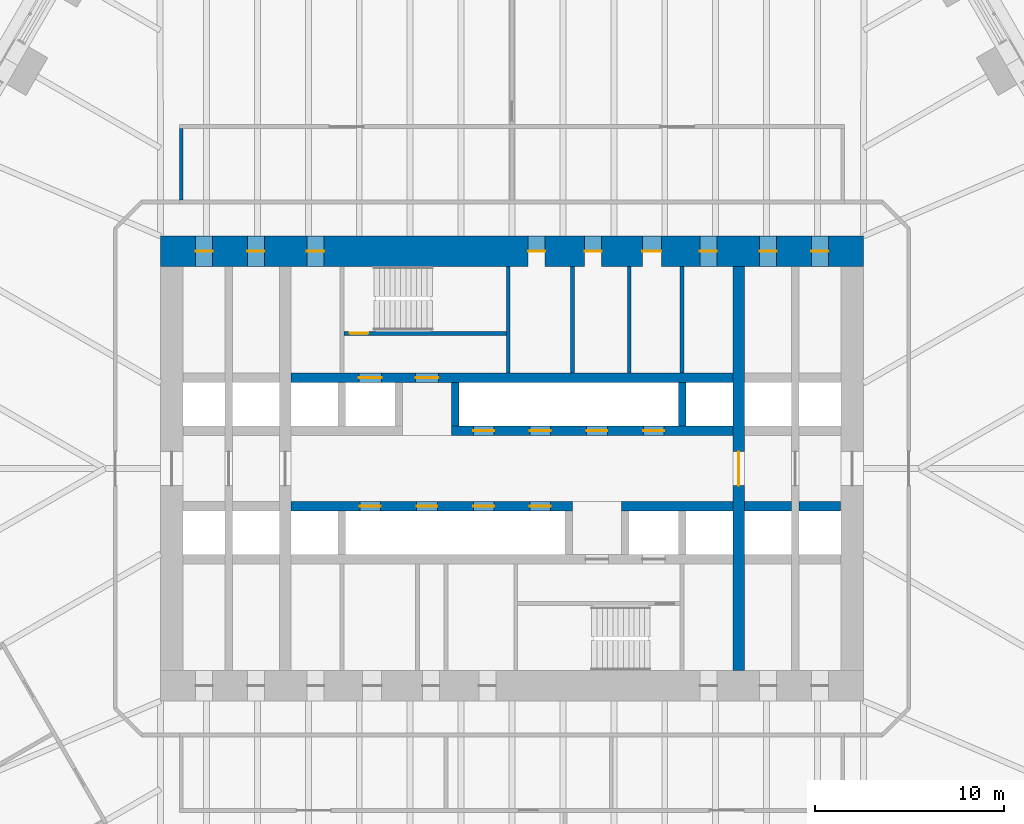
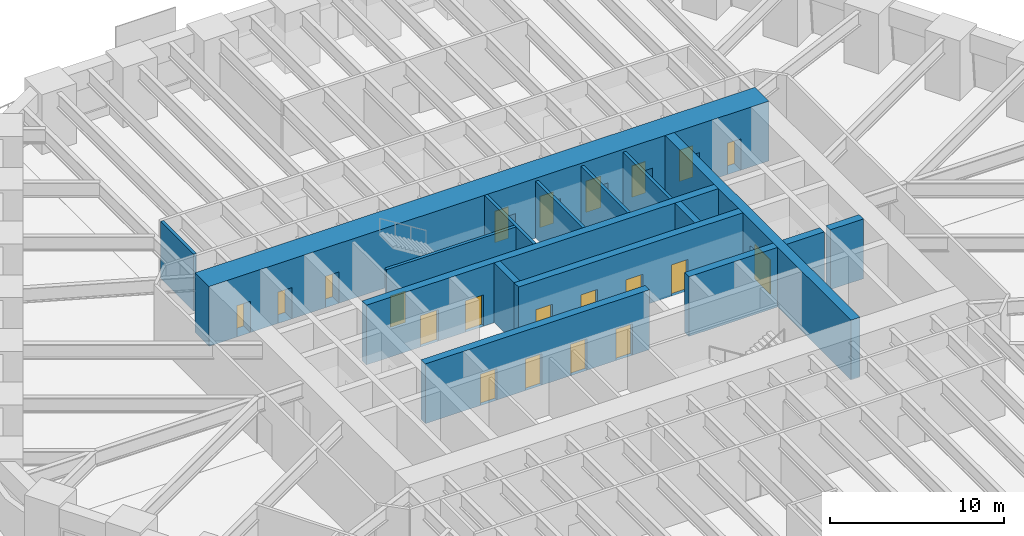
# One storey, part 18 of 23: 21 doors, 16 walls, 21 openings.
"""IFC4 building model written with IfcOpenShell, lengths in metres."""

import ifcopenshell
import ifcopenshell.guid

model = None  # the IFC model being written
_history = None  # IfcOwnerHistory: only IFC2X3 demands one
_inside = {}  # id of a spatial element -> (the spatial element, [elements in it])
_under = {}  # id of a project, library or spatial element -> (it, [spatial elements below it])
_declared = {}  # id of a project -> (the project, [libraries it declares])
_typed = {}  # id of a type object -> (the type object, [elements of that type])
_made_of = {}  # id of a material, layer set ... -> (it, [elements and type objects made of it])


def new_model(schema):
    """Start an empty IFC model of exactly this schema.

    Asked for "IFC4X3", IfcOpenShell would pick the latest addendum, in which some entities
    have other attributes; the version numbers below select the first issue.
    IFC2X3 requires an IfcOwnerHistory on every rooted entity: one is made here for all.
    """
    global model, _history
    if schema == "IFC4X3":
        model = ifcopenshell.file(schema_version=(4, 3, 0, 0))
    else:
        model = ifcopenshell.file(schema=schema)
    _inside.clear()
    _under.clear()
    _declared.clear()
    _typed.clear()
    _made_of.clear()
    _history = None
    if model.schema == "IFC2X3":
        org = make("IfcOrganization", Name="unknown")
        user = make(
            "IfcPersonAndOrganization",
            ThePerson=make("IfcPerson", FamilyName="unknown"),
            TheOrganization=org,
        )
        app = make(
            "IfcApplication",
            ApplicationDeveloper=org,
            Version="unknown",
            ApplicationFullName="unknown",
            ApplicationIdentifier="unknown",
        )
        _history = make(
            "IfcOwnerHistory",
            OwningUser=user,
            OwningApplication=app,
            ChangeAction="ADDED",
            CreationDate=0,
        )
    return model


def make(cls, **values):
    """One entity of the class cls with the attributes given. An attribute that is None is left unset."""
    return model.create_entity(
        cls, **{name: value for name, value in values.items() if value is not None}
    )


def rooted(cls, **values):
    """An entity with a GlobalId (a new one), such as an element, a storey or a relation."""
    return make(cls, GlobalId=ifcopenshell.guid.new(), OwnerHistory=_history, **values)


def si_unit(unit_type, name, prefix=None):
    """IfcSIUnit, for example si_unit("LENGTHUNIT", "METRE", prefix="MILLI")."""
    return make("IfcSIUnit", UnitType=unit_type, Prefix=prefix, Name=name)


def assignment(units):
    """IfcUnitAssignment: the units of a project."""
    return None if units is None else make("IfcUnitAssignment", Units=units)


def point(xyz):
    """IfcCartesianPoint."""
    return None if xyz is None else make("IfcCartesianPoint", Coordinates=xyz)


def direction(xyz):
    """IfcDirection."""
    return None if xyz is None else make("IfcDirection", DirectionRatios=xyz)


def frame(location, z_axis=None, x_axis=None):
    """IfcAxis2Placement3D, a coordinate frame: its origin and axes. An axis left out is left unset."""
    return make(
        "IfcAxis2Placement3D",
        Location=point(location),
        Axis=direction(z_axis),
        RefDirection=direction(x_axis),
    )


def frame_2d(location, x_axis=None):
    """IfcAxis2Placement2D, a coordinate frame in the plane: its origin and x axis."""
    return make(
        "IfcAxis2Placement2D", Location=point(location), RefDirection=direction(x_axis)
    )


def origin():
    """The frame at (0, 0, 0) with its axes left unset."""
    return frame((0.0, 0.0, 0.0))


def place(relative_to, where):
    """IfcLocalPlacement: puts the frame where relative to a parent placement (None: the world)."""
    return make(
        "IfcLocalPlacement", PlacementRelTo=relative_to, RelativePlacement=where
    )


def context(
    kind, dimensions, precision=None, world=None, true_north=None, identifier=None
):
    """IfcGeometricRepresentationContext, for example the 3D "Model" context."""
    return make(
        "IfcGeometricRepresentationContext",
        ContextIdentifier=identifier,
        ContextType=kind,
        CoordinateSpaceDimension=dimensions,
        Precision=precision,
        WorldCoordinateSystem=world,
        TrueNorth=true_north,
    )


def subcontext(parent, identifier, kind, view, scale=None):
    """IfcGeometricRepresentationSubContext, for example "Body" below "Model"."""
    return make(
        "IfcGeometricRepresentationSubContext",
        ContextIdentifier=identifier,
        ContextType=kind,
        ParentContext=parent,
        TargetScale=scale,
        TargetView=view,
    )


def project(units=None, contexts=None):
    """IfcProject with its units and contexts."""
    return rooted(
        "IfcProject",
        Name="project",
        RepresentationContexts=contexts,
        UnitsInContext=assignment(units),
    )


def spatial(cls, under=None, at=None, **own):
    """A site, building, storey or space (cls), placed at a placement, below another one or the project."""
    s = rooted(cls, ObjectPlacement=at, **own)
    if under is not None:
        _under.setdefault(under.id(), (under, []))[1].append(s)
    return s


def profile(cls, at=None, kind="AREA", **sizes):
    """A parametric profile (cls). Its sizes go by their IFC names, for example OverallWidth=200.0."""
    return make(cls, ProfileType=kind, Position=at, **sizes)


def rectangle(**sizes):
    """IfcRectangleProfileDef."""
    return profile("IfcRectangleProfileDef", **sizes)


def extrude(swept, where, along, depth):
    """IfcExtrudedAreaSolid: the profile swept, set in the frame where, extruded along a direction by depth."""
    return make(
        "IfcExtrudedAreaSolid",
        SweptArea=swept,
        Position=where,
        ExtrudedDirection=direction(along),
        Depth=depth,
    )


def shape(context_of_items, identifier, shape_type, items):
    """IfcShapeRepresentation: the items that make up one representation, for example the "Body"."""
    return make(
        "IfcShapeRepresentation",
        ContextOfItems=context_of_items,
        RepresentationIdentifier=identifier,
        RepresentationType=shape_type,
        Items=items,
    )


def material(Name=None, Category=None):
    """IfcMaterial."""
    return make("IfcMaterial", Name=Name, Category=Category)


def layer(
    of_material, thickness, ventilated=None, Name=None, Category=None, Priority=None
):
    """IfcMaterialLayer: one layer of a wall or slab, of a material (None: an air gap)."""
    return make(
        "IfcMaterialLayer",
        Material=of_material,
        LayerThickness=thickness,
        IsVentilated=ventilated,
        Name=Name,
        Category=Category,
        Priority=Priority,
    )


def layer_set(layers, Name=None):
    """IfcMaterialLayerSet."""
    return make("IfcMaterialLayerSet", MaterialLayers=layers, LayerSetName=Name)


def made_of(thing, what):
    """Note that an element or type object is made of a material, layer set ...; save() writes the relation."""
    if what is not None:
        _made_of.setdefault(what.id(), (what, []))[1].append(thing)
    return thing


def type_object(cls, material=None, **own):
    """A type object (cls), such as IfcWallType, which elements share."""
    return made_of(rooted(cls, **own), material)


def element(
    cls,
    number,
    at=None,
    inside=None,
    cuts=None,
    type_object=None,
    material=None,
    context=None,
    identifier="Body",
    shape_type=None,
    held_by="IfcProductDefinitionShape",
    body=None,
    shapes=None,
    **own,
):
    """One element of the class cls, such as IfcWall. Its Tag is "e" and its number.

    at: its placement. inside: the storey or other place that contains it. cuts: it is an
    opening in that element (IfcRelVoidsElement). A single representation is given by context,
    identifier, shape_type and body (its items); several are given by shapes. held_by: the class
    of the entity that holds the representations. save() writes the other relations.
    """
    e = rooted(cls, Tag="e%d" % number, ObjectPlacement=at, **own)
    if body is not None:
        shapes = [shape(context, identifier, shape_type, body)]
    if shapes is not None:
        e.Representation = make(held_by, Representations=shapes)
    if inside is not None:
        _inside.setdefault(inside.id(), (inside, []))[1].append(e)
    if cuts is not None:
        rooted(
            "IfcRelVoidsElement", RelatingBuildingElement=cuts, RelatedOpeningElement=e
        )
    if type_object is not None:
        _typed.setdefault(type_object.id(), (type_object, []))[1].append(e)
    return made_of(e, material)


def fill(opening, filler):
    """IfcRelFillsElement: the door or window that sits in an opening."""
    return rooted(
        "IfcRelFillsElement",
        RelatingOpeningElement=opening,
        RelatedBuildingElement=filler,
    )


def aggregate(whole, parts):
    """IfcRelAggregates: a whole, such as a stair, and the parts it consists of."""
    return rooted("IfcRelAggregates", RelatingObject=whole, RelatedObjects=parts)


def save(model, path):
    """Write the relations noted so far, then the file.

    IfcRelAggregates (storeys below a building ...), IfcRelContainedInSpatialStructure (elements
    in a storey), IfcRelDefinesByType, IfcRelAssociatesMaterial and IfcRelDeclares: one each for
    every whole, place, type object, material and project.
    """
    for whole, parts in _under.values():
        aggregate(whole, parts)
    for where, things in _inside.values():
        rooted(
            "IfcRelContainedInSpatialStructure",
            RelatedElements=things,
            RelatingStructure=where,
        )
    for kind, things in _typed.values():
        rooted("IfcRelDefinesByType", RelatedObjects=things, RelatingType=kind)
    for what, things in _made_of.values():
        rooted("IfcRelAssociatesMaterial", RelatedObjects=things, RelatingMaterial=what)
    for by, libraries in _declared.values():
        rooted("IfcRelDeclares", RelatingContext=by, RelatedDefinitions=libraries)
    model.write(path)


model = new_model("IFC4")

# Units and contexts
model_context = context("Model", 3, precision=1e-05, world=origin(), true_north=direction((0.0, 1.0)))
body_context = subcontext(model_context, "Body", "Model", "MODEL_VIEW")
ifc_project = project(units=[si_unit("LENGTHUNIT", "METRE"), si_unit("AREAUNIT", "SQUARE_METRE"), si_unit("VOLUMEUNIT", "CUBIC_METRE"), si_unit("PLANEANGLEUNIT", "RADIAN"), si_unit("MASSUNIT", "GRAM", prefix="KILO")], contexts=[model_context])

# Site, building, storey
site_placement = place(None, origin())
site = spatial("IfcSite", under=ifc_project, at=site_placement, CompositionType="ELEMENT")
building_placement = place(site_placement, origin())
building = spatial("IfcBuilding", under=site, at=building_placement, Name="Tarfa Lantern Tower", CompositionType="ELEMENT")
storey_placement = place(building_placement, frame((0.0, 0.0, 36.10009765625)))
storey = spatial("IfcBuildingStorey", under=building, at=storey_placement, Name="L07", CompositionType="ELEMENT", Elevation=36.10009765625)

# Walls
ifc_material_1 = material(Name="Concrete blockwork", Category="masonry")
ifc_layer_1 = layer(ifc_material_1, 0.199951171875)
ifc_layer_set_1 = layer_set([ifc_layer_1], Name="IW1 BLOCKWORK PARTITION 200 EI 120")
wall_type_1 = type_object("IfcWallType", Name="IW1 BLOCKWORK PARTITION 200 EI 120", PredefinedType="PARTITIONING", material=ifc_layer_set_1)
for number, where, z_axis, x_axis, name in (
    (1, (9.0, 5.050048828125, 0.0), (0.0, 0.0, 1.0), (0.0, 1.0, 0.0), "Core partition"),
    (2, (3.199951171875, 5.050048828125, 0.0), (0.0, 0.0, 1.0), (0.0, 1.0, 0.0), "Core partition"),
    (3, (6.199951171875, 5.050048828125, 0.0), (0.0, 0.0, 1.0), (0.0, 1.0, 0.0), "Core partition"),
):
    element("IfcWall", number, at=place(storey_placement, frame(where, z_axis=z_axis, x_axis=x_axis)), inside=storey, type_object=wall_type_1, Name=name, PredefinedType="PARTITIONING", context=body_context, shape_type="SweptSolid", body=[
        extrude(rectangle(XDim=5.64990234375, YDim=0.199951171875, at=frame_2d((2.824951171875, 0.0))), origin(), (0.0, 0.0, 1.0), 4.0),
    ])
ifc_material_2 = material(Name="Gypsum board on steel studs", Category="steel")
ifc_layer_2 = layer(ifc_material_2, 0.2099609375)
ifc_layer_set_2 = layer_set([ifc_layer_2], Name="IW2 ACOUSTIC PARTITION 200")
wall_type_2 = type_object("IfcWallType", Name="IW2 ACOUSTIC PARTITION 200", PredefinedType="PARTITIONING", material=ifc_layer_set_2)
wall_1_placement = place(storey_placement, frame((-17.5, 14.199951171875, 0.0), z_axis=(0.0, 0.0, 1.0), x_axis=(0.0, 1.0, 0.0)))
element("IfcWall", 4, at=wall_1_placement, inside=storey, type_object=wall_type_2, Name="Partition", PredefinedType="PARTITIONING", context=body_context, shape_type="SweptSolid", body=[
    extrude(rectangle(XDim=3.800048828125, YDim=0.199951171875, at=frame_2d((1.89990234375, 0.0))), origin(), (0.0, 0.0, 1.0), 4.0),
])
ifc_material_3 = material(Name="Concrete C80/95", Category="concrete")
ifc_layer_3 = layer(ifc_material_3, 0.199951171875)
ifc_layer_set_3 = layer_set([ifc_layer_3], Name="SW12 CORE WALL 200")
wall_type_3 = type_object("IfcWallType", Name="SW12 CORE WALL 200", PredefinedType="SHEAR", material=ifc_layer_set_3)
wall_2_placement = place(storey_placement, frame((-0.199951171875, 5.050048828125, 0.0), z_axis=(0.0, 0.0, 1.0), x_axis=(0.0, 1.0, 0.0)))
element("IfcWall", 5, at=wall_2_placement, inside=storey, type_object=wall_type_3, Name="Core wall stair shaft N", PredefinedType="SHEAR", context=body_context, shape_type="SweptSolid", body=[
    extrude(rectangle(XDim=5.64990234375, YDim=0.199951171875, at=frame_2d((2.824951171875, 0.0))), origin(), (0.0, 0.0, 1.0), 4.199951171875),
])

# Wall, opening, door
wall_3_placement = place(storey_placement, frame((-8.89990234375, 7.14990234375, 0.0), z_axis=(0.0, 0.0, 1.0), x_axis=(1.0, 0.0, 0.0)))
wall_3 = element("IfcWall", 6, at=wall_3_placement, inside=storey, type_object=wall_type_3, Name="Core wall stair partition N", PredefinedType="SHEAR", context=body_context, shape_type="SweptSolid", body=[
    extrude(rectangle(XDim=8.599853515625, YDim=0.199951171875, at=frame_2d((4.2998046875, 0.0))), origin(), (0.0, 0.0, 1.0), 4.199951171875),
])
opening_1_placement = place(wall_3_placement, frame((0.300048828125, 0.0, 0.0)))
opening_1 = element("IfcOpeningElement", 7, at=opening_1_placement, cuts=wall_3, Name="Opening D23", PredefinedType="OPENING", context=body_context, shape_type="SweptSolid", body=[
    extrude(rectangle(XDim=1.0, YDim=2.199951171875, at=frame_2d((0.5, 1.10009765625))), frame((0.0, 0.10986328125, 0.0), z_axis=(0.0, -1.0, 0.0), x_axis=(1.0, 0.0, 0.0)), (0.0, 0.0, 1.0), 0.219970703125),
])
ifc_material_4 = material(Name="Steel fire door", Category="steel")
door_type_1 = type_object("IfcDoorType", Name="DF2 STAIR DOOR 1000x2200", OperationType="SINGLE_SWING_LEFT", PredefinedType="DOOR", material=ifc_material_4)
door_1_placement = place(opening_1_placement, origin())
door_1 = element("IfcDoor", 8, at=door_1_placement, inside=storey, type_object=door_type_1, Name="Stair door", OperationType="SINGLE_SWING_RIGHT", OverallHeight=2.199951171875, OverallWidth=1.0, PredefinedType="DOOR", context=body_context, shape_type="SweptSolid", body=[
    extrude(rectangle(XDim=1.0, YDim=2.199951171875, at=frame_2d((0.5, 1.10009765625))), frame((0.0, 0.02490234375, 0.0), z_axis=(0.0, -1.0, 0.0), x_axis=(1.0, 0.0, 0.0)), (0.0, 0.0, 1.0), 0.050048828125),
])
fill(opening_1, door_1)

# Wall, openings, doors
ifc_layer_4 = layer(ifc_material_3, 0.5)
ifc_layer_set_4 = layer_set([ifc_layer_4], Name="SW5 CORE WALL 500")
wall_type_4 = type_object("IfcWallType", Name="SW5 CORE WALL 500", PredefinedType="SHEAR", material=ifc_layer_set_4)
wall_4_placement = place(storey_placement, frame((-3.199951171875, 2.0, 0.0), z_axis=(0.0, 0.0, 1.0), x_axis=(1.0, 0.0, 0.0)))
wall_4 = element("IfcWall", 9, at=wall_4_placement, inside=storey, type_object=wall_type_4, Name="Core wall lobby east N", PredefinedType="SHEAR", context=body_context, shape_type="SweptSolid", body=[
    extrude(rectangle(XDim=14.89990234375, YDim=0.5, at=frame_2d((7.449951171875, 0.0))), origin(), (0.0, 0.0, 1.0), 4.199951171875),
])
opening_2_placement = place(wall_4_placement, frame((1.14990234375, 0.0, 0.0)))
opening_2 = element("IfcOpeningElement", 10, at=opening_2_placement, cuts=wall_4, Name="Opening LD03", PredefinedType="OPENING", context=body_context, shape_type="SweptSolid", body=[
    extrude(rectangle(XDim=1.10009765625, YDim=2.199951171875, at=frame_2d((0.550048828125, 1.10009765625))), frame((0.0, 0.260009765625, 0.0), z_axis=(0.0, -1.0, 0.0), x_axis=(1.0, 0.0, 0.0)), (0.0, 0.0, 1.0), 0.52001953125),
])
opening_3_placement = place(wall_4_placement, frame((4.14990234375, 0.0, 0.0)))
opening_3 = element("IfcOpeningElement", 11, at=opening_3_placement, cuts=wall_4, Name="Opening LD04", PredefinedType="OPENING", context=body_context, shape_type="SweptSolid", body=[
    extrude(rectangle(XDim=1.10009765625, YDim=2.199951171875, at=frame_2d((0.550048828125, 1.10009765625))), frame((0.0, 0.260009765625, 0.0), z_axis=(0.0, -1.0, 0.0), x_axis=(1.0, 0.0, 0.0)), (0.0, 0.0, 1.0), 0.52001953125),
])
opening_4_placement = place(wall_4_placement, frame((7.14990234375, 0.0, 0.0)))
opening_4 = element("IfcOpeningElement", 12, at=opening_4_placement, cuts=wall_4, Name="Opening LD05", PredefinedType="OPENING", context=body_context, shape_type="SweptSolid", body=[
    extrude(rectangle(XDim=1.10009765625, YDim=2.199951171875, at=frame_2d((0.550048828125, 1.10009765625))), frame((0.0, 0.260009765625, 0.0), z_axis=(0.0, -1.0, 0.0), x_axis=(1.0, 0.0, 0.0)), (0.0, 0.0, 1.0), 0.52001953125),
])
opening_5_placement = place(wall_4_placement, frame((10.14990234375, 0.0, 0.0)))
opening_5 = element("IfcOpeningElement", 13, at=opening_5_placement, cuts=wall_4, Name="Opening LD06", PredefinedType="OPENING", context=body_context, shape_type="SweptSolid", body=[
    extrude(rectangle(XDim=1.10009765625, YDim=2.199951171875, at=frame_2d((0.550048828125, 1.10009765625))), frame((0.0, 0.260009765625, 0.0), z_axis=(0.0, -1.0, 0.0), x_axis=(1.0, 0.0, 0.0)), (0.0, 0.0, 1.0), 0.52001953125),
])
ifc_material_5 = material(Name="Stainless steel lift door", Category="steel")
door_type_2 = type_object("IfcDoorType", Name="LD2 LIFT LANDING DOOR 1100x2200", OperationType="SLIDING_TO_LEFT", PredefinedType="DOOR", material=ifc_material_5)
door_2_placement = place(opening_2_placement, frame((1.10009765625, 0.0, 0.0), z_axis=(0.0, 0.0, 1.0), x_axis=(-1.0, 0.0, 0.0)))
door_2 = element("IfcDoor", 14, at=door_2_placement, inside=storey, type_object=door_type_2, Name="Landing door PA1", OperationType="SLIDING_TO_LEFT", OverallHeight=2.199951171875, OverallWidth=1.10009765625, PredefinedType="DOOR", context=body_context, shape_type="SweptSolid", body=[
    extrude(rectangle(XDim=1.10009765625, YDim=2.199951171875, at=frame_2d((0.550048828125, 1.10009765625))), frame((0.0, 0.02490234375, 0.0), z_axis=(0.0, -1.0, 0.0), x_axis=(1.0, 0.0, 0.0)), (0.0, 0.0, 1.0), 0.050048828125),
])
fill(opening_2, door_2)
door_3_placement = place(opening_3_placement, frame((1.10009765625, 0.0, 0.0), z_axis=(0.0, 0.0, 1.0), x_axis=(-1.0, 0.0, 0.0)))
door_3 = element("IfcDoor", 15, at=door_3_placement, inside=storey, type_object=door_type_2, Name="Landing door PA2", OperationType="SLIDING_TO_LEFT", OverallHeight=2.199951171875, OverallWidth=1.10009765625, PredefinedType="DOOR", context=body_context, shape_type="SweptSolid", body=[
    extrude(rectangle(XDim=1.10009765625, YDim=2.199951171875, at=frame_2d((0.550048828125, 1.10009765625))), frame((0.0, 0.02490234375, 0.0), z_axis=(0.0, -1.0, 0.0), x_axis=(1.0, 0.0, 0.0)), (0.0, 0.0, 1.0), 0.050048828125),
])
fill(opening_3, door_3)
door_4_placement = place(opening_4_placement, frame((1.10009765625, 0.0, 0.0), z_axis=(0.0, 0.0, 1.0), x_axis=(-1.0, 0.0, 0.0)))
door_4 = element("IfcDoor", 16, at=door_4_placement, inside=storey, type_object=door_type_2, Name="Landing door PA3", OperationType="SLIDING_TO_LEFT", OverallHeight=2.199951171875, OverallWidth=1.10009765625, PredefinedType="DOOR", context=body_context, shape_type="SweptSolid", body=[
    extrude(rectangle(XDim=1.10009765625, YDim=2.199951171875, at=frame_2d((0.550048828125, 1.10009765625))), frame((0.0, 0.02490234375, 0.0), z_axis=(0.0, -1.0, 0.0), x_axis=(1.0, 0.0, 0.0)), (0.0, 0.0, 1.0), 0.050048828125),
])
fill(opening_4, door_4)
door_5_placement = place(opening_5_placement, frame((1.10009765625, 0.0, 0.0), z_axis=(0.0, 0.0, 1.0), x_axis=(-1.0, 0.0, 0.0)))
door_5 = element("IfcDoor", 17, at=door_5_placement, inside=storey, type_object=door_type_2, Name="Landing door PA4", OperationType="SLIDING_TO_LEFT", OverallHeight=2.199951171875, OverallWidth=1.10009765625, PredefinedType="DOOR", context=body_context, shape_type="SweptSolid", body=[
    extrude(rectangle(XDim=1.10009765625, YDim=2.199951171875, at=frame_2d((0.550048828125, 1.10009765625))), frame((0.0, 0.02490234375, 0.0), z_axis=(0.0, -1.0, 0.0), x_axis=(1.0, 0.0, 0.0)), (0.0, 0.0, 1.0), 0.050048828125),
])
fill(opening_5, door_5)

wall_5_placement = place(storey_placement, frame((-11.699951171875, 4.800048828125, 0.0), z_axis=(0.0, 0.0, 1.0), x_axis=(1.0, 0.0, 0.0)))
wall_5 = element("IfcWall", 18, at=wall_5_placement, inside=storey, type_object=wall_type_4, Name="Core wall rear N", PredefinedType="SHEAR", context=body_context, shape_type="SweptSolid", body=[
    extrude(rectangle(XDim=23.39990234375, YDim=0.5, at=frame_2d((11.699951171875, 0.0))), origin(), (0.0, 0.0, 1.0), 4.199951171875),
])
opening_6_placement = place(wall_5_placement, frame((6.60009765625, 0.0, 0.0)))
opening_6 = element("IfcOpeningElement", 19, at=opening_6_placement, cuts=wall_5, Name="Opening D13", PredefinedType="OPENING", context=body_context, shape_type="SweptSolid", body=[
    extrude(rectangle(XDim=1.199951171875, YDim=2.199951171875, at=frame_2d((0.60009765625, 1.10009765625))), frame((0.0, 0.260009765625, 0.0), z_axis=(0.0, -1.0, 0.0), x_axis=(1.0, 0.0, 0.0)), (0.0, 0.0, 1.0), 0.52001953125),
])
opening_7_placement = place(wall_5_placement, frame((3.60009765625, 0.0, 0.0)))
opening_7 = element("IfcOpeningElement", 20, at=opening_7_placement, cuts=wall_5, Name="Opening LD01", PredefinedType="OPENING", context=body_context, shape_type="SweptSolid", body=[
    extrude(rectangle(XDim=1.199951171875, YDim=2.199951171875, at=frame_2d((0.60009765625, 1.10009765625))), frame((0.0, 0.260009765625, 0.0), z_axis=(0.0, -1.0, 0.0), x_axis=(1.0, 0.0, 0.0)), (0.0, 0.0, 1.0), 0.52001953125),
])
door_type_3 = type_object("IfcDoorType", Name="DF1 FIREFIGHTING LOBBY DOOR 1200x2200", OperationType="SINGLE_SWING_LEFT", PredefinedType="DOOR", material=ifc_material_4)
door_6_placement = place(opening_6_placement, origin())
door_6 = element("IfcDoor", 21, at=door_6_placement, inside=storey, type_object=door_type_3, Name="Firefighting lobby door", OperationType="SINGLE_SWING_LEFT", OverallHeight=2.199951171875, OverallWidth=1.199951171875, PredefinedType="DOOR", context=body_context, shape_type="SweptSolid", body=[
    extrude(rectangle(XDim=1.199951171875, YDim=2.199951171875, at=frame_2d((0.60009765625, 1.10009765625))), frame((0.0, 0.02490234375, 0.0), z_axis=(0.0, -1.0, 0.0), x_axis=(1.0, 0.0, 0.0)), (0.0, 0.0, 1.0), 0.050048828125),
])
fill(opening_6, door_6)
door_type_4 = type_object("IfcDoorType", Name="LD1 LIFT LANDING DOOR 1200x2200", OperationType="SLIDING_TO_LEFT", PredefinedType="DOOR", material=ifc_material_5)
door_7_placement = place(opening_7_placement, origin())
door_7 = element("IfcDoor", 22, at=door_7_placement, inside=storey, type_object=door_type_4, Name="Landing door FL1", OperationType="SLIDING_TO_LEFT", OverallHeight=2.199951171875, OverallWidth=1.199951171875, PredefinedType="DOOR", context=body_context, shape_type="SweptSolid", body=[
    extrude(rectangle(XDim=1.199951171875, YDim=2.199951171875, at=frame_2d((0.60009765625, 1.10009765625))), frame((0.0, 0.02490234375, 0.0), z_axis=(0.0, -1.0, 0.0), x_axis=(1.0, 0.0, 0.0)), (0.0, 0.0, 1.0), 0.050048828125),
])
fill(opening_7, door_7)

# Walls
wall_6_placement = place(storey_placement, frame((17.39990234375, -2.0, 0.0), z_axis=(0.0, 0.0, 1.0), x_axis=(-1.0, 0.0, 0.0)))
element("IfcWall", 23, at=wall_6_placement, inside=storey, type_object=wall_type_4, Name="Core wall lobby west S", PredefinedType="SHEAR", context=body_context, shape_type="SweptSolid", body=[
    extrude(rectangle(XDim=2.199951171875, YDim=0.5, at=frame_2d((1.10009765625, 0.0))), origin(), (0.0, 0.0, 1.0), 4.199951171875),
])
wall_7_placement = place(storey_placement, frame((14.800048828125, -2.0, 0.0), z_axis=(0.0, 0.0, 1.0), x_axis=(-1.0, 0.0, 0.0)))
element("IfcWall", 24, at=wall_7_placement, inside=storey, type_object=wall_type_4, Name="Core wall lobby west S", PredefinedType="SHEAR", context=body_context, shape_type="SweptSolid", body=[
    extrude(rectangle(XDim=2.5, YDim=0.5, at=frame_2d((1.25, 0.0))), origin(), (0.0, 0.0, 1.0), 4.199951171875),
])
wall_8_placement = place(storey_placement, frame((11.699951171875, -2.0, 0.0), z_axis=(0.0, 0.0, 1.0), x_axis=(-1.0, 0.0, 0.0)))
element("IfcWall", 25, at=wall_8_placement, inside=storey, type_object=wall_type_4, Name="Core wall lobby west S", PredefinedType="SHEAR", context=body_context, shape_type="SweptSolid", body=[
    extrude(rectangle(XDim=5.89990234375, YDim=0.5, at=frame_2d((2.949951171875, 0.0))), origin(), (0.0, 0.0, 1.0), 4.199951171875),
])

# Wall, openings, doors
wall_9_placement = place(storey_placement, frame((3.199951171875, -2.0, 0.0), z_axis=(0.0, 0.0, 1.0), x_axis=(-1.0, 0.0, 0.0)))
wall_9 = element("IfcWall", 26, at=wall_9_placement, inside=storey, type_object=wall_type_4, Name="Core wall lobby east S", PredefinedType="SHEAR", context=body_context, shape_type="SweptSolid", body=[
    extrude(rectangle(XDim=14.89990234375, YDim=0.5, at=frame_2d((7.449951171875, 0.0))), origin(), (0.0, 0.0, 1.0), 4.199951171875),
])
opening_8_placement = place(wall_9_placement, frame((1.14990234375, 0.0, 0.0)))
opening_8 = element("IfcOpeningElement", 27, at=opening_8_placement, cuts=wall_9, Name="Opening LD07", PredefinedType="OPENING", context=body_context, shape_type="SweptSolid", body=[
    extrude(rectangle(XDim=1.10009765625, YDim=2.199951171875, at=frame_2d((0.550048828125, 1.10009765625))), frame((0.0, 0.260009765625, 0.0), z_axis=(0.0, -1.0, 0.0), x_axis=(1.0, 0.0, 0.0)), (0.0, 0.0, 1.0), 0.52001953125),
])
opening_9_placement = place(wall_9_placement, frame((4.14990234375, 0.0, 0.0)))
opening_9 = element("IfcOpeningElement", 28, at=opening_9_placement, cuts=wall_9, Name="Opening LD08", PredefinedType="OPENING", context=body_context, shape_type="SweptSolid", body=[
    extrude(rectangle(XDim=1.10009765625, YDim=2.199951171875, at=frame_2d((0.550048828125, 1.10009765625))), frame((0.0, 0.260009765625, 0.0), z_axis=(0.0, -1.0, 0.0), x_axis=(1.0, 0.0, 0.0)), (0.0, 0.0, 1.0), 0.52001953125),
])
opening_10_placement = place(wall_9_placement, frame((7.14990234375, 0.0, 0.0)))
opening_10 = element("IfcOpeningElement", 29, at=opening_10_placement, cuts=wall_9, Name="Opening LD09", PredefinedType="OPENING", context=body_context, shape_type="SweptSolid", body=[
    extrude(rectangle(XDim=1.10009765625, YDim=2.199951171875, at=frame_2d((0.550048828125, 1.10009765625))), frame((0.0, 0.260009765625, 0.0), z_axis=(0.0, -1.0, 0.0), x_axis=(1.0, 0.0, 0.0)), (0.0, 0.0, 1.0), 0.52001953125),
])
opening_11_placement = place(wall_9_placement, frame((10.14990234375, 0.0, 0.0)))
opening_11 = element("IfcOpeningElement", 30, at=opening_11_placement, cuts=wall_9, Name="Opening LD10", PredefinedType="OPENING", context=body_context, shape_type="SweptSolid", body=[
    extrude(rectangle(XDim=1.10009765625, YDim=2.199951171875, at=frame_2d((0.550048828125, 1.10009765625))), frame((0.0, 0.260009765625, 0.0), z_axis=(0.0, -1.0, 0.0), x_axis=(1.0, 0.0, 0.0)), (0.0, 0.0, 1.0), 0.52001953125),
])
door_8_placement = place(opening_8_placement, frame((1.10009765625, 0.0, 0.0), z_axis=(0.0, 0.0, 1.0), x_axis=(-1.0, 0.0, 0.0)))
door_8 = element("IfcDoor", 31, at=door_8_placement, inside=storey, type_object=door_type_2, Name="Landing door PA5", OperationType="SLIDING_TO_LEFT", OverallHeight=2.199951171875, OverallWidth=1.10009765625, PredefinedType="DOOR", context=body_context, shape_type="SweptSolid", body=[
    extrude(rectangle(XDim=1.10009765625, YDim=2.199951171875, at=frame_2d((0.550048828125, 1.10009765625))), frame((0.0, 0.02490234375, 0.0), z_axis=(0.0, -1.0, 0.0), x_axis=(1.0, 0.0, 0.0)), (0.0, 0.0, 1.0), 0.050048828125),
])
fill(opening_8, door_8)
door_9_placement = place(opening_9_placement, frame((1.10009765625, 0.0, 0.0), z_axis=(0.0, 0.0, 1.0), x_axis=(-1.0, 0.0, 0.0)))
door_9 = element("IfcDoor", 32, at=door_9_placement, inside=storey, type_object=door_type_2, Name="Landing door PA6", OperationType="SLIDING_TO_LEFT", OverallHeight=2.199951171875, OverallWidth=1.10009765625, PredefinedType="DOOR", context=body_context, shape_type="SweptSolid", body=[
    extrude(rectangle(XDim=1.10009765625, YDim=2.199951171875, at=frame_2d((0.550048828125, 1.10009765625))), frame((0.0, 0.02490234375, 0.0), z_axis=(0.0, -1.0, 0.0), x_axis=(1.0, 0.0, 0.0)), (0.0, 0.0, 1.0), 0.050048828125),
])
fill(opening_9, door_9)
door_10_placement = place(opening_10_placement, frame((1.10009765625, 0.0, 0.0), z_axis=(0.0, 0.0, 1.0), x_axis=(-1.0, 0.0, 0.0)))
door_10 = element("IfcDoor", 33, at=door_10_placement, inside=storey, type_object=door_type_2, Name="Landing door PA7", OperationType="SLIDING_TO_LEFT", OverallHeight=2.199951171875, OverallWidth=1.10009765625, PredefinedType="DOOR", context=body_context, shape_type="SweptSolid", body=[
    extrude(rectangle(XDim=1.10009765625, YDim=2.199951171875, at=frame_2d((0.550048828125, 1.10009765625))), frame((0.0, 0.02490234375, 0.0), z_axis=(0.0, -1.0, 0.0), x_axis=(1.0, 0.0, 0.0)), (0.0, 0.0, 1.0), 0.050048828125),
])
fill(opening_10, door_10)
door_11_placement = place(opening_11_placement, frame((1.10009765625, 0.0, 0.0), z_axis=(0.0, 0.0, 1.0), x_axis=(-1.0, 0.0, 0.0)))
door_11 = element("IfcDoor", 34, at=door_11_placement, inside=storey, type_object=door_type_2, Name="Landing door PA8", OperationType="SLIDING_TO_LEFT", OverallHeight=2.199951171875, OverallWidth=1.10009765625, PredefinedType="DOOR", context=body_context, shape_type="SweptSolid", body=[
    extrude(rectangle(XDim=1.10009765625, YDim=2.199951171875, at=frame_2d((0.550048828125, 1.10009765625))), frame((0.0, 0.02490234375, 0.0), z_axis=(0.0, -1.0, 0.0), x_axis=(1.0, 0.0, 0.0)), (0.0, 0.0, 1.0), 0.050048828125),
])
fill(opening_11, door_11)

# Walls
ifc_layer_5 = layer(ifc_material_3, 0.39990234375)
ifc_layer_set_5 = layer_set([ifc_layer_5], Name="SW6 CORE WALL 400")
wall_type_5 = type_object("IfcWallType", Name="SW6 CORE WALL 400", PredefinedType="SHEAR", material=ifc_layer_set_5)
for number, where, z_axis, x_axis, name in (
    (35, (-3.0, 2.25, 0.0), (0.0, 0.0, 1.0), (0.0, 1.0, 0.0), "Core wall divider N"),
    (36, (9.0, 2.25, 0.0), (0.0, 0.0, 1.0), (0.0, 1.0, 0.0), "Core wall divider N"),
):
    element("IfcWall", number, at=place(storey_placement, frame(where, z_axis=z_axis, x_axis=x_axis)), inside=storey, type_object=wall_type_5, Name=name, PredefinedType="SHEAR", context=body_context, shape_type="SweptSolid", body=[
        extrude(rectangle(XDim=2.300048828125, YDim=0.39990234375, at=frame_2d((1.14990234375, 0.0))), origin(), (0.0, 0.0, 1.0), 4.199951171875),
    ])

# Wall, openings, doors
ifc_layer_6 = layer(ifc_material_3, 1.60009765625)
ifc_layer_set_6 = layer_set([ifc_layer_6], Name="SW7 CORE WALL 1600")
wall_type_6 = type_object("IfcWallType", Name="SW7 CORE WALL 1600", PredefinedType="SHEAR", material=ifc_layer_set_6)
wall_10_placement = place(storey_placement, frame((-18.60009765625, 11.5, 0.0), z_axis=(0.0, 0.0, 1.0), x_axis=(1.0, 0.0, 0.0)))
wall_10 = element("IfcWall", 37, at=wall_10_placement, inside=storey, type_object=wall_type_6, Name="Core wall N", PredefinedType="SHEAR", context=body_context, shape_type="SweptSolid", body=[
    extrude(rectangle(XDim=37.2001953125, YDim=1.60009765625, at=frame_2d((18.60009765625, 0.0))), origin(), (0.0, 0.0, 1.0), 4.199951171875),
])
opening_12_placement = place(wall_10_placement, frame((19.449951171875, 0.0, 0.0)))
opening_12 = element("IfcOpeningElement", 38, at=opening_12_placement, cuts=wall_10, Name="Opening D17", PredefinedType="OPENING", context=body_context, shape_type="SweptSolid", body=[
    extrude(rectangle(XDim=0.89990234375, YDim=2.199951171875, at=frame_2d((0.449951171875, 1.10009765625))), frame((0.0, 0.81005859375, 0.0), z_axis=(0.0, -1.0, 0.0), x_axis=(1.0, 0.0, 0.0)), (0.0, 0.0, 1.0), 1.6201171875),
])
opening_13_placement = place(wall_10_placement, frame((22.449951171875, 0.0, 0.0)))
opening_13 = element("IfcOpeningElement", 39, at=opening_13_placement, cuts=wall_10, Name="Opening D19", PredefinedType="OPENING", context=body_context, shape_type="SweptSolid", body=[
    extrude(rectangle(XDim=0.89990234375, YDim=2.199951171875, at=frame_2d((0.449951171875, 1.10009765625))), frame((0.0, 0.81005859375, 0.0), z_axis=(0.0, -1.0, 0.0), x_axis=(1.0, 0.0, 0.0)), (0.0, 0.0, 1.0), 1.6201171875),
])
opening_14_placement = place(wall_10_placement, frame((25.5, 0.0, 0.0)))
opening_14 = element("IfcOpeningElement", 40, at=opening_14_placement, cuts=wall_10, Name="Opening D21", PredefinedType="OPENING", context=body_context, shape_type="SweptSolid", body=[
    extrude(rectangle(XDim=1.0, YDim=2.199951171875, at=frame_2d((0.5, 1.10009765625))), frame((0.0, 0.81005859375, 0.0), z_axis=(0.0, -1.0, 0.0), x_axis=(1.0, 0.0, 0.0)), (0.0, 0.0, 1.0), 1.6201171875),
])
opening_15_placement = place(wall_10_placement, frame((1.85009765625, 0.0, 0.0)))
opening_15 = element("IfcOpeningElement", 41, at=opening_15_placement, cuts=wall_10, Name="Opening D11", PredefinedType="OPENING", context=body_context, shape_type="SweptSolid", body=[
    extrude(rectangle(XDim=0.89990234375, YDim=2.199951171875, at=frame_2d((0.449951171875, 1.10009765625))), frame((0.0, 0.81005859375, 0.0), z_axis=(0.0, -1.0, 0.0), x_axis=(1.0, 0.0, 0.0)), (0.0, 0.0, 1.0), 1.6201171875),
])
opening_16_placement = place(wall_10_placement, frame((4.60009765625, 0.0, 0.0)))
opening_16 = element("IfcOpeningElement", 42, at=opening_16_placement, cuts=wall_10, Name="Opening D07", PredefinedType="OPENING", context=body_context, shape_type="SweptSolid", body=[
    extrude(rectangle(XDim=0.89990234375, YDim=2.199951171875, at=frame_2d((0.449951171875, 1.10009765625))), frame((0.0, 0.81005859375, 0.0), z_axis=(0.0, -1.0, 0.0), x_axis=(1.0, 0.0, 0.0)), (0.0, 0.0, 1.0), 1.6201171875),
])
opening_17_placement = place(wall_10_placement, frame((7.75, 0.0, 0.0)))
opening_17 = element("IfcOpeningElement", 43, at=opening_17_placement, cuts=wall_10, Name="Opening D09", PredefinedType="OPENING", context=body_context, shape_type="SweptSolid", body=[
    extrude(rectangle(XDim=0.89990234375, YDim=2.199951171875, at=frame_2d((0.449951171875, 1.10009765625))), frame((0.0, 0.81005859375, 0.0), z_axis=(0.0, -1.0, 0.0), x_axis=(1.0, 0.0, 0.0)), (0.0, 0.0, 1.0), 1.6201171875),
])
opening_18_placement = place(wall_10_placement, frame((28.550048828125, 0.0, 0.0)))
opening_18 = element("IfcOpeningElement", 44, at=opening_18_placement, cuts=wall_10, Name="Opening D05", PredefinedType="OPENING", context=body_context, shape_type="SweptSolid", body=[
    extrude(rectangle(XDim=0.89990234375, YDim=2.199951171875, at=frame_2d((0.449951171875, 1.10009765625))), frame((0.0, 0.81005859375, 0.0), z_axis=(0.0, -1.0, 0.0), x_axis=(1.0, 0.0, 0.0)), (0.0, 0.0, 1.0), 1.6201171875),
])
opening_19_placement = place(wall_10_placement, frame((31.699951171875, 0.0, 0.0)))
opening_19 = element("IfcOpeningElement", 45, at=opening_19_placement, cuts=wall_10, Name="Opening D01", PredefinedType="OPENING", context=body_context, shape_type="SweptSolid", body=[
    extrude(rectangle(XDim=0.89990234375, YDim=2.199951171875, at=frame_2d((0.449951171875, 1.10009765625))), frame((0.0, 0.81005859375, 0.0), z_axis=(0.0, -1.0, 0.0), x_axis=(1.0, 0.0, 0.0)), (0.0, 0.0, 1.0), 1.6201171875),
])
opening_20_placement = place(wall_10_placement, frame((34.449951171875, 0.0, 0.0)))
opening_20 = element("IfcOpeningElement", 46, at=opening_20_placement, cuts=wall_10, Name="Opening D03", PredefinedType="OPENING", context=body_context, shape_type="SweptSolid", body=[
    extrude(rectangle(XDim=0.89990234375, YDim=2.199951171875, at=frame_2d((0.449951171875, 1.10009765625))), frame((0.0, 0.81005859375, 0.0), z_axis=(0.0, -1.0, 0.0), x_axis=(1.0, 0.0, 0.0)), (0.0, 0.0, 1.0), 1.6201171875),
])
door_type_5 = type_object("IfcDoorType", Name="DF3 CORE ROOM DOOR 900x2200", OperationType="SINGLE_SWING_LEFT", PredefinedType="DOOR", material=ifc_material_4)
door_12_placement = place(opening_12_placement, frame((0.89990234375, 0.0, 0.0), z_axis=(0.0, 0.0, 1.0), x_axis=(-1.0, 0.0, 0.0)))
door_12 = element("IfcDoor", 47, at=door_12_placement, inside=storey, type_object=door_type_5, Name="Core door", OperationType="SINGLE_SWING_LEFT", OverallHeight=2.199951171875, OverallWidth=0.89990234375, PredefinedType="DOOR", context=body_context, shape_type="SweptSolid", body=[
    extrude(rectangle(XDim=0.89990234375, YDim=2.199951171875, at=frame_2d((0.449951171875, 1.10009765625))), frame((0.0, 0.02490234375, 0.0), z_axis=(0.0, -1.0, 0.0), x_axis=(1.0, 0.0, 0.0)), (0.0, 0.0, 1.0), 0.050048828125),
])
fill(opening_12, door_12)
door_13_placement = place(opening_13_placement, frame((0.89990234375, 0.0, 0.0), z_axis=(0.0, 0.0, 1.0), x_axis=(-1.0, 0.0, 0.0)))
door_13 = element("IfcDoor", 48, at=door_13_placement, inside=storey, type_object=door_type_5, Name="Core door", OperationType="SINGLE_SWING_LEFT", OverallHeight=2.199951171875, OverallWidth=0.89990234375, PredefinedType="DOOR", context=body_context, shape_type="SweptSolid", body=[
    extrude(rectangle(XDim=0.89990234375, YDim=2.199951171875, at=frame_2d((0.449951171875, 1.10009765625))), frame((0.0, 0.02490234375, 0.0), z_axis=(0.0, -1.0, 0.0), x_axis=(1.0, 0.0, 0.0)), (0.0, 0.0, 1.0), 0.050048828125),
])
fill(opening_13, door_13)
door_type_6 = type_object("IfcDoorType", Name="DF4 CORE ROOM DOOR 1000x2200", OperationType="SINGLE_SWING_LEFT", PredefinedType="DOOR", material=ifc_material_4)
door_14_placement = place(opening_14_placement, frame((1.0, 0.0, 0.0), z_axis=(0.0, 0.0, 1.0), x_axis=(-1.0, 0.0, 0.0)))
door_14 = element("IfcDoor", 49, at=door_14_placement, inside=storey, type_object=door_type_6, Name="Core door", OperationType="SINGLE_SWING_LEFT", OverallHeight=2.199951171875, OverallWidth=1.0, PredefinedType="DOOR", context=body_context, shape_type="SweptSolid", body=[
    extrude(rectangle(XDim=1.0, YDim=2.199951171875, at=frame_2d((0.5, 1.10009765625))), frame((0.0, 0.02490234375, 0.0), z_axis=(0.0, -1.0, 0.0), x_axis=(1.0, 0.0, 0.0)), (0.0, 0.0, 1.0), 0.050048828125),
])
fill(opening_14, door_14)
door_type_7 = type_object("IfcDoorType", Name="DF5 RISER DOOR 900x2200", OperationType="SINGLE_SWING_LEFT", PredefinedType="DOOR", material=ifc_material_4)
door_15_placement = place(opening_15_placement, frame((0.89990234375, 0.0, 0.0), z_axis=(0.0, 0.0, 1.0), x_axis=(-1.0, 0.0, 0.0)))
door_15 = element("IfcDoor", 50, at=door_15_placement, inside=storey, type_object=door_type_7, Name="Riser door", OperationType="SINGLE_SWING_LEFT", OverallHeight=2.199951171875, OverallWidth=0.89990234375, PredefinedType="DOOR", context=body_context, shape_type="SweptSolid", body=[
    extrude(rectangle(XDim=0.89990234375, YDim=2.199951171875, at=frame_2d((0.449951171875, 1.10009765625))), frame((0.0, 0.02490234375, 0.0), z_axis=(0.0, -1.0, 0.0), x_axis=(1.0, 0.0, 0.0)), (0.0, 0.0, 1.0), 0.050048828125),
])
fill(opening_15, door_15)
door_16_placement = place(opening_16_placement, frame((0.89990234375, 0.0, 0.0), z_axis=(0.0, 0.0, 1.0), x_axis=(-1.0, 0.0, 0.0)))
door_16 = element("IfcDoor", 51, at=door_16_placement, inside=storey, type_object=door_type_7, Name="Riser door", OperationType="SINGLE_SWING_LEFT", OverallHeight=2.199951171875, OverallWidth=0.89990234375, PredefinedType="DOOR", context=body_context, shape_type="SweptSolid", body=[
    extrude(rectangle(XDim=0.89990234375, YDim=2.199951171875, at=frame_2d((0.449951171875, 1.10009765625))), frame((0.0, 0.02490234375, 0.0), z_axis=(0.0, -1.0, 0.0), x_axis=(1.0, 0.0, 0.0)), (0.0, 0.0, 1.0), 0.050048828125),
])
fill(opening_16, door_16)
door_17_placement = place(opening_17_placement, frame((0.89990234375, 0.0, 0.0), z_axis=(0.0, 0.0, 1.0), x_axis=(-1.0, 0.0, 0.0)))
door_17 = element("IfcDoor", 52, at=door_17_placement, inside=storey, type_object=door_type_7, Name="Riser door", OperationType="SINGLE_SWING_LEFT", OverallHeight=2.199951171875, OverallWidth=0.89990234375, PredefinedType="DOOR", context=body_context, shape_type="SweptSolid", body=[
    extrude(rectangle(XDim=0.89990234375, YDim=2.199951171875, at=frame_2d((0.449951171875, 1.10009765625))), frame((0.0, 0.02490234375, 0.0), z_axis=(0.0, -1.0, 0.0), x_axis=(1.0, 0.0, 0.0)), (0.0, 0.0, 1.0), 0.050048828125),
])
fill(opening_17, door_17)
door_18_placement = place(opening_18_placement, frame((0.89990234375, 0.0, 0.0), z_axis=(0.0, 0.0, 1.0), x_axis=(-1.0, 0.0, 0.0)))
door_18 = element("IfcDoor", 53, at=door_18_placement, inside=storey, type_object=door_type_7, Name="Riser door", OperationType="SINGLE_SWING_RIGHT", OverallHeight=2.199951171875, OverallWidth=0.89990234375, PredefinedType="DOOR", context=body_context, shape_type="SweptSolid", body=[
    extrude(rectangle(XDim=0.89990234375, YDim=2.199951171875, at=frame_2d((0.449951171875, 1.10009765625))), frame((0.0, 0.02490234375, 0.0), z_axis=(0.0, -1.0, 0.0), x_axis=(1.0, 0.0, 0.0)), (0.0, 0.0, 1.0), 0.050048828125),
])
fill(opening_18, door_18)
door_19_placement = place(opening_19_placement, frame((0.89990234375, 0.0, 0.0), z_axis=(0.0, 0.0, 1.0), x_axis=(-1.0, 0.0, 0.0)))
door_19 = element("IfcDoor", 54, at=door_19_placement, inside=storey, type_object=door_type_7, Name="Riser door", OperationType="SINGLE_SWING_RIGHT", OverallHeight=2.199951171875, OverallWidth=0.89990234375, PredefinedType="DOOR", context=body_context, shape_type="SweptSolid", body=[
    extrude(rectangle(XDim=0.89990234375, YDim=2.199951171875, at=frame_2d((0.449951171875, 1.10009765625))), frame((0.0, 0.02490234375, 0.0), z_axis=(0.0, -1.0, 0.0), x_axis=(1.0, 0.0, 0.0)), (0.0, 0.0, 1.0), 0.050048828125),
])
fill(opening_19, door_19)
door_20_placement = place(opening_20_placement, frame((0.89990234375, 0.0, 0.0), z_axis=(0.0, 0.0, 1.0), x_axis=(-1.0, 0.0, 0.0)))
door_20 = element("IfcDoor", 55, at=door_20_placement, inside=storey, type_object=door_type_7, Name="Riser door", OperationType="SINGLE_SWING_RIGHT", OverallHeight=2.199951171875, OverallWidth=0.89990234375, PredefinedType="DOOR", context=body_context, shape_type="SweptSolid", body=[
    extrude(rectangle(XDim=0.89990234375, YDim=2.199951171875, at=frame_2d((0.449951171875, 1.10009765625))), frame((0.0, 0.02490234375, 0.0), z_axis=(0.0, -1.0, 0.0), x_axis=(1.0, 0.0, 0.0)), (0.0, 0.0, 1.0), 0.050048828125),
])
fill(opening_20, door_20)

# Wall, opening, door
ifc_layer_7 = layer(ifc_material_3, 0.60009765625)
ifc_layer_set_7 = layer_set([ifc_layer_7], Name="SW9 CORE WALL 600")
wall_type_7 = type_object("IfcWallType", Name="SW9 CORE WALL 600", PredefinedType="SHEAR", material=ifc_layer_set_7)
wall_11_placement = place(storey_placement, frame((12.0, -10.699951171875, 0.0), z_axis=(0.0, 0.0, 1.0), x_axis=(0.0, 1.0, 0.0)))
wall_11 = element("IfcWall", 56, at=wall_11_placement, inside=storey, type_object=wall_type_7, Name="Core wall cross 12 m east", PredefinedType="SHEAR", context=body_context, shape_type="SweptSolid", body=[
    extrude(rectangle(XDim=21.39990234375, YDim=0.60009765625, at=frame_2d((10.699951171875, 0.0))), origin(), (0.0, 0.0, 1.0), 4.199951171875),
])
opening_21_placement = place(wall_11_placement, frame((9.800048828125, 0.0, 0.0)))
opening_21 = element("IfcOpeningElement", 57, at=opening_21_placement, cuts=wall_11, Name="Opening D25", PredefinedType="OPENING", context=body_context, shape_type="SweptSolid", body=[
    extrude(rectangle(XDim=1.800048828125, YDim=2.39990234375, at=frame_2d((0.89990234375, 1.199951171875))), frame((0.0, 0.31005859375, 0.0), z_axis=(0.0, -1.0, 0.0), x_axis=(1.0, 0.0, 0.0)), (0.0, 0.0, 1.0), 0.6201171875),
])
door_type_8 = type_object("IfcDoorType", Name="DL1 LOBBY DOOR 1800x2400", OperationType="DOUBLE_DOOR_SINGLE_SWING", PredefinedType="DOOR", material=ifc_material_4)
door_21_placement = place(opening_21_placement, origin())
door_21 = element("IfcDoor", 58, at=door_21_placement, inside=storey, type_object=door_type_8, Name="Lift lobby door", OperationType="DOUBLE_DOOR_SINGLE_SWING", OverallHeight=2.39990234375, OverallWidth=1.800048828125, PredefinedType="DOOR", context=body_context, shape_type="SweptSolid", body=[
    extrude(rectangle(XDim=1.800048828125, YDim=2.39990234375, at=frame_2d((0.89990234375, 1.199951171875))), frame((0.0, 0.02490234375, 0.0), z_axis=(0.0, -1.0, 0.0), x_axis=(1.0, 0.0, 0.0)), (0.0, 0.0, 1.0), 0.050048828125),
])
fill(opening_21, door_21)

save(model, "model.ifc")
